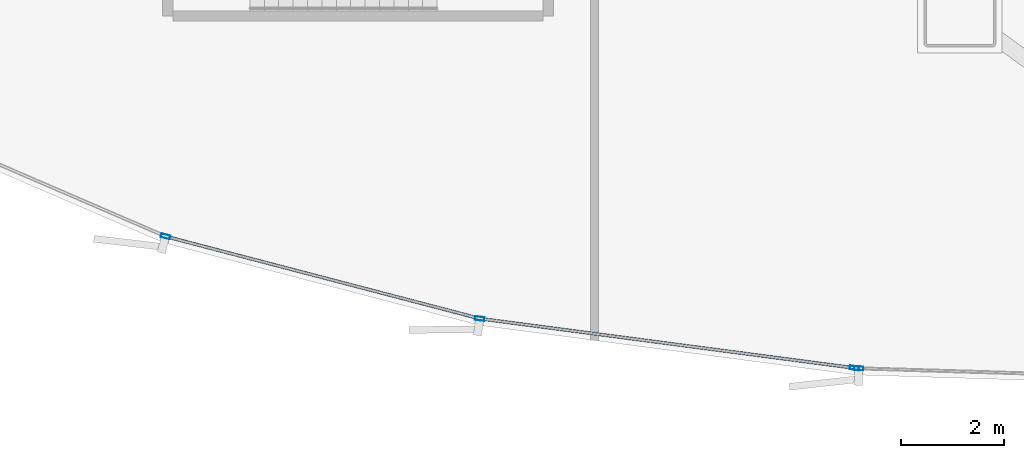
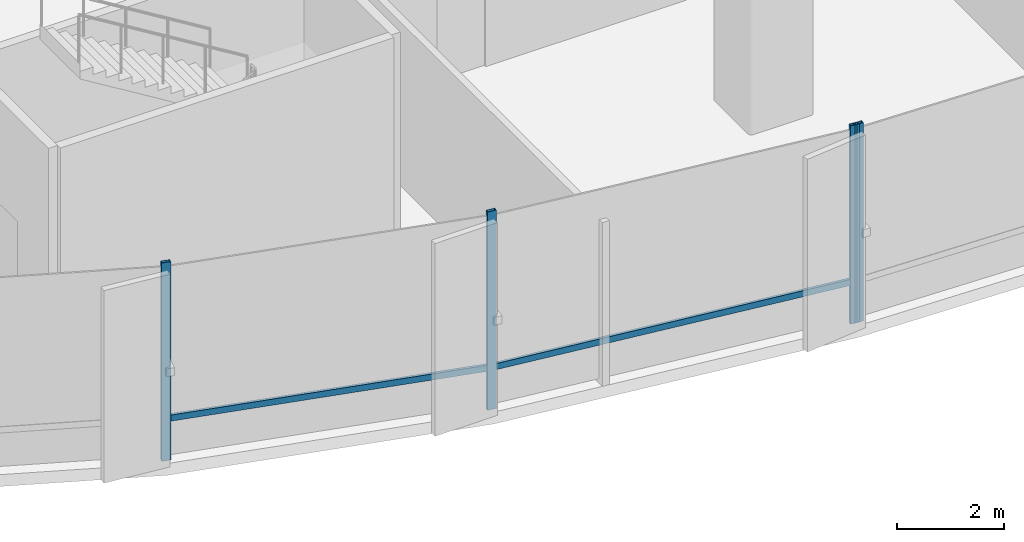
# One storey, part 4 of 34: 6 members, 2 elements without a shape of their own.
"""IFC4 building model written with IfcOpenShell, lengths in metres."""

import ifcopenshell
import ifcopenshell.guid

model = None  # the IFC model being written
_history = None  # IfcOwnerHistory: only IFC2X3 demands one
_inside = {}  # id of a spatial element -> (the spatial element, [elements in it])
_under = {}  # id of a project, library or spatial element -> (it, [spatial elements below it])
_declared = {}  # id of a project -> (the project, [libraries it declares])
_typed = {}  # id of a type object -> (the type object, [elements of that type])
_made_of = {}  # id of a material, layer set ... -> (it, [elements and type objects made of it])


def new_model(schema):
    """Start an empty IFC model of exactly this schema.

    Asked for "IFC4X3", IfcOpenShell would pick the latest addendum, in which some entities
    have other attributes; the version numbers below select the first issue.
    IFC2X3 requires an IfcOwnerHistory on every rooted entity: one is made here for all.
    """
    global model, _history
    if schema == "IFC4X3":
        model = ifcopenshell.file(schema_version=(4, 3, 0, 0))
    else:
        model = ifcopenshell.file(schema=schema)
    _inside.clear()
    _under.clear()
    _declared.clear()
    _typed.clear()
    _made_of.clear()
    _history = None
    if model.schema == "IFC2X3":
        org = make("IfcOrganization", Name="unknown")
        user = make(
            "IfcPersonAndOrganization",
            ThePerson=make("IfcPerson", FamilyName="unknown"),
            TheOrganization=org,
        )
        app = make(
            "IfcApplication",
            ApplicationDeveloper=org,
            Version="unknown",
            ApplicationFullName="unknown",
            ApplicationIdentifier="unknown",
        )
        _history = make(
            "IfcOwnerHistory",
            OwningUser=user,
            OwningApplication=app,
            ChangeAction="ADDED",
            CreationDate=0,
        )
    return model


def make(cls, **values):
    """One entity of the class cls with the attributes given. An attribute that is None is left unset."""
    return model.create_entity(
        cls, **{name: value for name, value in values.items() if value is not None}
    )


def rooted(cls, **values):
    """An entity with a GlobalId (a new one), such as an element, a storey or a relation."""
    return make(cls, GlobalId=ifcopenshell.guid.new(), OwnerHistory=_history, **values)


def si_unit(unit_type, name, prefix=None):
    """IfcSIUnit, for example si_unit("LENGTHUNIT", "METRE", prefix="MILLI")."""
    return make("IfcSIUnit", UnitType=unit_type, Prefix=prefix, Name=name)


def assignment(units):
    """IfcUnitAssignment: the units of a project."""
    return None if units is None else make("IfcUnitAssignment", Units=units)


def point(xyz):
    """IfcCartesianPoint."""
    return None if xyz is None else make("IfcCartesianPoint", Coordinates=xyz)


def direction(xyz):
    """IfcDirection."""
    return None if xyz is None else make("IfcDirection", DirectionRatios=xyz)


def frame(location, z_axis=None, x_axis=None):
    """IfcAxis2Placement3D, a coordinate frame: its origin and axes. An axis left out is left unset."""
    return make(
        "IfcAxis2Placement3D",
        Location=point(location),
        Axis=direction(z_axis),
        RefDirection=direction(x_axis),
    )


def frame_2d(location, x_axis=None):
    """IfcAxis2Placement2D, a coordinate frame in the plane: its origin and x axis."""
    return make(
        "IfcAxis2Placement2D", Location=point(location), RefDirection=direction(x_axis)
    )


def origin():
    """The frame at (0, 0, 0) with its axes left unset."""
    return frame((0.0, 0.0, 0.0))


def origin_2d():
    """The frame at (0, 0) in the plane with its x axis left unset."""
    return frame_2d((0.0, 0.0))


def place(relative_to, where):
    """IfcLocalPlacement: puts the frame where relative to a parent placement (None: the world)."""
    return make(
        "IfcLocalPlacement", PlacementRelTo=relative_to, RelativePlacement=where
    )


def context(
    kind, dimensions, precision=None, world=None, true_north=None, identifier=None
):
    """IfcGeometricRepresentationContext, for example the 3D "Model" context."""
    return make(
        "IfcGeometricRepresentationContext",
        ContextIdentifier=identifier,
        ContextType=kind,
        CoordinateSpaceDimension=dimensions,
        Precision=precision,
        WorldCoordinateSystem=world,
        TrueNorth=true_north,
    )


def subcontext(parent, identifier, kind, view, scale=None):
    """IfcGeometricRepresentationSubContext, for example "Body" below "Model"."""
    return make(
        "IfcGeometricRepresentationSubContext",
        ContextIdentifier=identifier,
        ContextType=kind,
        ParentContext=parent,
        TargetScale=scale,
        TargetView=view,
    )


def project(units=None, contexts=None):
    """IfcProject with its units and contexts."""
    return rooted(
        "IfcProject",
        Name="project",
        RepresentationContexts=contexts,
        UnitsInContext=assignment(units),
    )


def spatial(cls, under=None, at=None, **own):
    """A site, building, storey or space (cls), placed at a placement, below another one or the project."""
    s = rooted(cls, ObjectPlacement=at, **own)
    if under is not None:
        _under.setdefault(under.id(), (under, []))[1].append(s)
    return s


def profile(cls, at=None, kind="AREA", **sizes):
    """A parametric profile (cls). Its sizes go by their IFC names, for example OverallWidth=200.0."""
    return make(cls, ProfileType=kind, Position=at, **sizes)


def hollow_rectangle(**sizes):
    """IfcRectangleHollowProfileDef."""
    return profile("IfcRectangleHollowProfileDef", **sizes)


def extrude(swept, where, along, depth):
    """IfcExtrudedAreaSolid: the profile swept, set in the frame where, extruded along a direction by depth."""
    return make(
        "IfcExtrudedAreaSolid",
        SweptArea=swept,
        Position=where,
        ExtrudedDirection=direction(along),
        Depth=depth,
    )


def shape(context_of_items, identifier, shape_type, items):
    """IfcShapeRepresentation: the items that make up one representation, for example the "Body"."""
    return make(
        "IfcShapeRepresentation",
        ContextOfItems=context_of_items,
        RepresentationIdentifier=identifier,
        RepresentationType=shape_type,
        Items=items,
    )


def source(mapping_origin, context_of_items, identifier, shape_type, items):
    """IfcRepresentationMap: a shape defined once, which mapped items show again and again."""
    return make(
        "IfcRepresentationMap",
        MappingOrigin=mapping_origin,
        MappedRepresentation=shape(context_of_items, identifier, shape_type, items),
    )


def transform(
    local_origin,
    x_axis=None,
    y_axis=None,
    z_axis=None,
    scale=None,
    scale2=None,
    scale3=None,
    uniform=True,
):
    """IfcCartesianTransformationOperator3D, or its non-uniform kind. x_axis, y_axis, z_axis: its Axis1, 2, 3."""
    if uniform:
        return make(
            "IfcCartesianTransformationOperator3D",
            Axis1=direction(x_axis),
            Axis2=direction(y_axis),
            LocalOrigin=point(local_origin),
            Scale=scale,
            Axis3=direction(z_axis),
        )
    return make(
        "IfcCartesianTransformationOperator3DnonUniform",
        Axis1=direction(x_axis),
        Axis2=direction(y_axis),
        LocalOrigin=point(local_origin),
        Scale=scale,
        Axis3=direction(z_axis),
        Scale2=scale2,
        Scale3=scale3,
    )


def mapped(mapping_source, mapping_target):
    """IfcMappedItem: shows the shape of a source again, moved by a transform."""
    return make(
        "IfcMappedItem", MappingSource=mapping_source, MappingTarget=mapping_target
    )


def material(Name=None, Category=None):
    """IfcMaterial."""
    return make("IfcMaterial", Name=Name, Category=Category)


def layer(
    of_material, thickness, ventilated=None, Name=None, Category=None, Priority=None
):
    """IfcMaterialLayer: one layer of a wall or slab, of a material (None: an air gap)."""
    return make(
        "IfcMaterialLayer",
        Material=of_material,
        LayerThickness=thickness,
        IsVentilated=ventilated,
        Name=Name,
        Category=Category,
        Priority=Priority,
    )


def layer_set(layers, Name=None):
    """IfcMaterialLayerSet."""
    return make("IfcMaterialLayerSet", MaterialLayers=layers, LayerSetName=Name)


def material_profile(
    of_material, cross_section, Name=None, Category=None, Priority=None
):
    """IfcMaterialProfile: a cross section and its material."""
    return make(
        "IfcMaterialProfile",
        Name=Name,
        Material=of_material,
        Profile=cross_section,
        Priority=Priority,
        Category=Category,
    )


def profile_set(profiles, Name=None, composite=None):
    """IfcMaterialProfileSet."""
    return make(
        "IfcMaterialProfileSet",
        Name=Name,
        MaterialProfiles=profiles,
        CompositeProfile=composite,
    )


def made_of(thing, what):
    """Note that an element or type object is made of a material, layer set ...; save() writes the relation."""
    if what is not None:
        _made_of.setdefault(what.id(), (what, []))[1].append(thing)
    return thing


def type_object(cls, material=None, **own):
    """A type object (cls), such as IfcWallType, which elements share."""
    return made_of(rooted(cls, **own), material)


def element(
    cls,
    number,
    at=None,
    inside=None,
    cuts=None,
    type_object=None,
    material=None,
    context=None,
    identifier="Body",
    shape_type=None,
    held_by="IfcProductDefinitionShape",
    body=None,
    shapes=None,
    **own,
):
    """One element of the class cls, such as IfcWall. Its Tag is "e" and its number.

    at: its placement. inside: the storey or other place that contains it. cuts: it is an
    opening in that element (IfcRelVoidsElement). A single representation is given by context,
    identifier, shape_type and body (its items); several are given by shapes. held_by: the class
    of the entity that holds the representations. save() writes the other relations.
    """
    e = rooted(cls, Tag="e%d" % number, ObjectPlacement=at, **own)
    if body is not None:
        shapes = [shape(context, identifier, shape_type, body)]
    if shapes is not None:
        e.Representation = make(held_by, Representations=shapes)
    if inside is not None:
        _inside.setdefault(inside.id(), (inside, []))[1].append(e)
    if cuts is not None:
        rooted(
            "IfcRelVoidsElement", RelatingBuildingElement=cuts, RelatedOpeningElement=e
        )
    if type_object is not None:
        _typed.setdefault(type_object.id(), (type_object, []))[1].append(e)
    return made_of(e, material)


def aggregate(whole, parts):
    """IfcRelAggregates: a whole, such as a stair, and the parts it consists of."""
    return rooted("IfcRelAggregates", RelatingObject=whole, RelatedObjects=parts)


def save(model, path):
    """Write the relations noted so far, then the file.

    IfcRelAggregates (storeys below a building ...), IfcRelContainedInSpatialStructure (elements
    in a storey), IfcRelDefinesByType, IfcRelAssociatesMaterial and IfcRelDeclares: one each for
    every whole, place, type object, material and project.
    """
    for whole, parts in _under.values():
        aggregate(whole, parts)
    for where, things in _inside.values():
        rooted(
            "IfcRelContainedInSpatialStructure",
            RelatedElements=things,
            RelatingStructure=where,
        )
    for kind, things in _typed.values():
        rooted("IfcRelDefinesByType", RelatedObjects=things, RelatingType=kind)
    for what, things in _made_of.values():
        rooted("IfcRelAssociatesMaterial", RelatedObjects=things, RelatingMaterial=what)
    for by, libraries in _declared.values():
        rooted("IfcRelDeclares", RelatingContext=by, RelatedDefinitions=libraries)
    model.write(path)


model = new_model("IFC4")

# Units and contexts
model_context = context("Model", 3, precision=1e-05, world=origin(), true_north=direction((0.0, 1.0)))
body_context = subcontext(model_context, "Body", "Model", "MODEL_VIEW")
ifc_project = project(units=[si_unit("LENGTHUNIT", "METRE"), si_unit("AREAUNIT", "SQUARE_METRE"), si_unit("VOLUMEUNIT", "CUBIC_METRE"), si_unit("PLANEANGLEUNIT", "RADIAN"), si_unit("MASSUNIT", "GRAM", prefix="KILO"), si_unit("THERMODYNAMICTEMPERATUREUNIT", "KELVIN")], contexts=[model_context])

# Site, building, storey
site_placement = place(None, origin())
site = spatial("IfcSite", under=ifc_project, at=site_placement, CompositionType="ELEMENT")
building_placement = place(site_placement, origin())
building = spatial("IfcBuilding", under=site, at=building_placement, Name="Kethvar Cultural Tower", CompositionType="ELEMENT")
storey_placement = place(building_placement, frame((0.0, 0.0, 14.800048828125)))
storey = spatial("IfcBuildingStorey", under=building, at=storey_placement, Name="L03", CompositionType="ELEMENT", Elevation=14.800048828125)

# Curtain wall, members
ifc_material = material(Name="Aluminium 6063-T6", Category="aluminium")
ifc_layer = layer(ifc_material, 0.179931640625, Name="Aluminium 6063-T6", Category="aluminium")
ifc_layer_set = layer_set([ifc_layer], Name="Aluminium 6063-T6 (180 mm)")
curtain_wall_type = type_object("IfcCurtainWallType", Name="CW-SYS-01-POD", PredefinedType="NOTDEFINED", material=ifc_layer_set)
curtain_wall_1_placement = place(storey_placement, origin())
curtain_wall_1 = element("IfcCurtainWall", 1, at=curtain_wall_1_placement, inside=storey, type_object=curtain_wall_type, Name="L03 Curtain Wall Run 04", PredefinedType="NOTDEFINED")
ifc_material_profile_1 = material_profile(ifc_material, hollow_rectangle(XDim=0.06005859375, YDim=0.139892578125, WallThickness=0.0048828125, at=origin_2d()), Name="Aluminium 6063-T6 — RHS140x60x5")
ifc_profile_set_1 = profile_set([ifc_material_profile_1], Name="Aluminium 6063-T6 — RHS140x60x5")
member_type_1 = type_object("IfcMemberType", Name="CW-SYS-01-POD-TRN", PredefinedType="USERDEFINED", material=ifc_profile_set_1)
shared_shape_1 = source(origin(), body_context, "Body", "SweptSolid", [
    extrude(hollow_rectangle(XDim=0.06005859375, YDim=0.139892578125, WallThickness=0.0048828125, at=origin_2d()), origin(), (0.0, 0.0, 1.0), 7.28955078125),
])
member_1_placement = place(storey_placement, frame((24.0205078125, 1.611328125, 0.949951171875), z_axis=(0.991428284846, -0.130652041726, 0.0), x_axis=(0.130652041726, 0.991428284846, 0.0)))
member_1 = element("IfcMember", 2, at=member_1_placement, type_object=member_type_1, Name="CW-L03-R04 Transom 6", ObjectType="TRANSOM", PredefinedType="USERDEFINED", context=body_context, shape_type="MappedRepresentation", body=[
    mapped(shared_shape_1, transform((0.0, 0.0, 0.0), scale=1.0)),
])
shared_shape_2 = source(origin(), body_context, "Body", "SweptSolid", [
    extrude(hollow_rectangle(XDim=0.06005859375, YDim=0.139892578125, WallThickness=0.0048828125, at=origin_2d()), origin(), (0.0, 0.0, 1.0), 6.221435546875),
])
member_2_placement = place(storey_placement, frame((17.911865234375, 3.203125, 0.949951171875), z_axis=(0.967458727109, -0.253028874519, 0.0), x_axis=(0.253028874519, 0.967458727109, 0.0)))
member_2 = element("IfcMember", 3, at=member_2_placement, type_object=member_type_1, Name="CW-L03-R04 Transom 5", ObjectType="TRANSOM", PredefinedType="USERDEFINED", context=body_context, shape_type="MappedRepresentation", body=[
    mapped(shared_shape_2, transform((0.0, 0.0, 0.0), scale=1.0)),
])
ifc_material_profile_2 = material_profile(ifc_material, hollow_rectangle(XDim=0.074951171875, YDim=0.179931640625, WallThickness=0.006103515625, at=origin_2d()), Name="Aluminium 6063-T6 — RHS180x75x6")
ifc_profile_set_2 = profile_set([ifc_material_profile_2], Name="Aluminium 6063-T6 — RHS180x75x6")
member_type_2 = type_object("IfcMemberType", Name="CW-SYS-01-POD-MUL", PredefinedType="MULLION", material=ifc_profile_set_2)
shared_shape_3 = source(origin(), body_context, "Body", "SweptSolid", [
    extrude(hollow_rectangle(XDim=0.074951171875, YDim=0.179931640625, WallThickness=0.006103515625, at=origin_2d()), origin(), (0.0, 0.0, 1.0), 4.530029296875),
])
member_3_placement = place(storey_placement, frame((17.859619140625, 3.216796875, 0.0), z_axis=(0.0, 0.0, 1.0), x_axis=(0.253031946887, 0.967457923558, 0.0)))
member_3 = element("IfcMember", 4, at=member_3_placement, type_object=member_type_2, Name="CW-L03-R04 Mullion 5", PredefinedType="MULLION", context=body_context, shape_type="MappedRepresentation", body=[
    mapped(shared_shape_3, transform((0.0, 0.0, 0.0), scale=1.0)),
])
member_4_placement = place(storey_placement, frame((23.967041015625, 1.618408203125, 0.0), z_axis=(0.0, 0.0, 1.0), x_axis=(0.130647319086, 0.991428907192, 0.0)))
member_4 = element("IfcMember", 5, at=member_4_placement, type_object=member_type_2, Name="CW-L03-R04 Mullion 6", PredefinedType="MULLION", context=body_context, shape_type="MappedRepresentation", body=[
    mapped(shared_shape_3, transform((0.0, 0.0, 0.0), scale=1.0)),
])
member_5_placement = place(storey_placement, frame((31.252685546875, 0.658447265625, 0.0), z_axis=(0.0, 0.0, 1.0), x_axis=(0.130647319086, 0.991428907192, 0.0)))
member_5 = element("IfcMember", 6, at=member_5_placement, type_object=member_type_2, Name="CW-L03-R04 Mullion 7", PredefinedType="MULLION", context=body_context, shape_type="MappedRepresentation", body=[
    mapped(shared_shape_3, transform((0.0, 0.0, 0.0), scale=1.0)),
])
aggregate(curtain_wall_1, [member_3, member_4, member_5, member_2, member_1])

# Curtain wall, member
curtain_wall_2_placement = place(storey_placement, origin())
curtain_wall_2 = element("IfcCurtainWall", 7, at=curtain_wall_2_placement, inside=storey, type_object=curtain_wall_type, Name="L03 Curtain Wall Run 05", PredefinedType="NOTDEFINED")
member_6_placement = place(storey_placement, frame((31.336669921875, 0.651611328125, 0.0), z_axis=(0.0, 0.0, 1.0), x_axis=(0.030137272261, 0.999545769248, 0.0)))
member_6 = element("IfcMember", 8, at=member_6_placement, type_object=member_type_2, Name="CW-L03-R05 Mullion 1", PredefinedType="MULLION", context=body_context, shape_type="MappedRepresentation", body=[
    mapped(shared_shape_3, transform((0.0, 0.0, 0.0), scale=1.0)),
])
aggregate(curtain_wall_2, [member_6])

save(model, "model.ifc")
